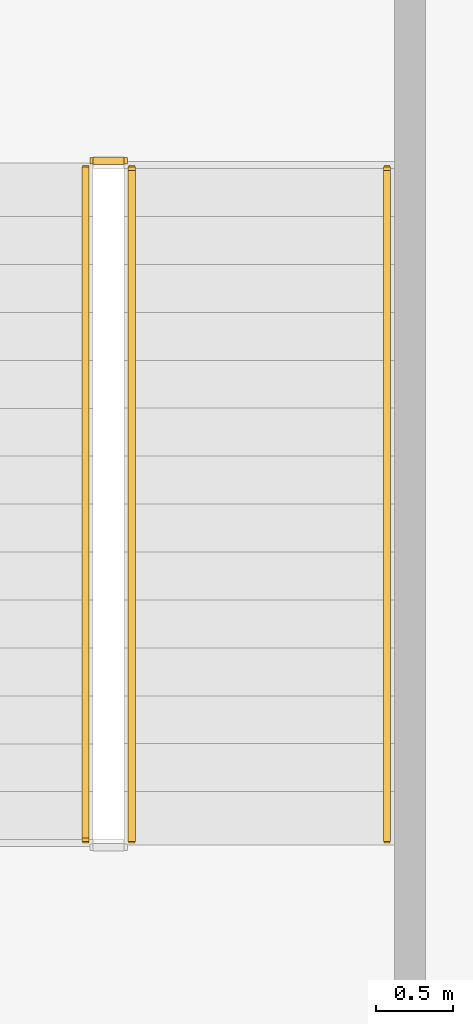
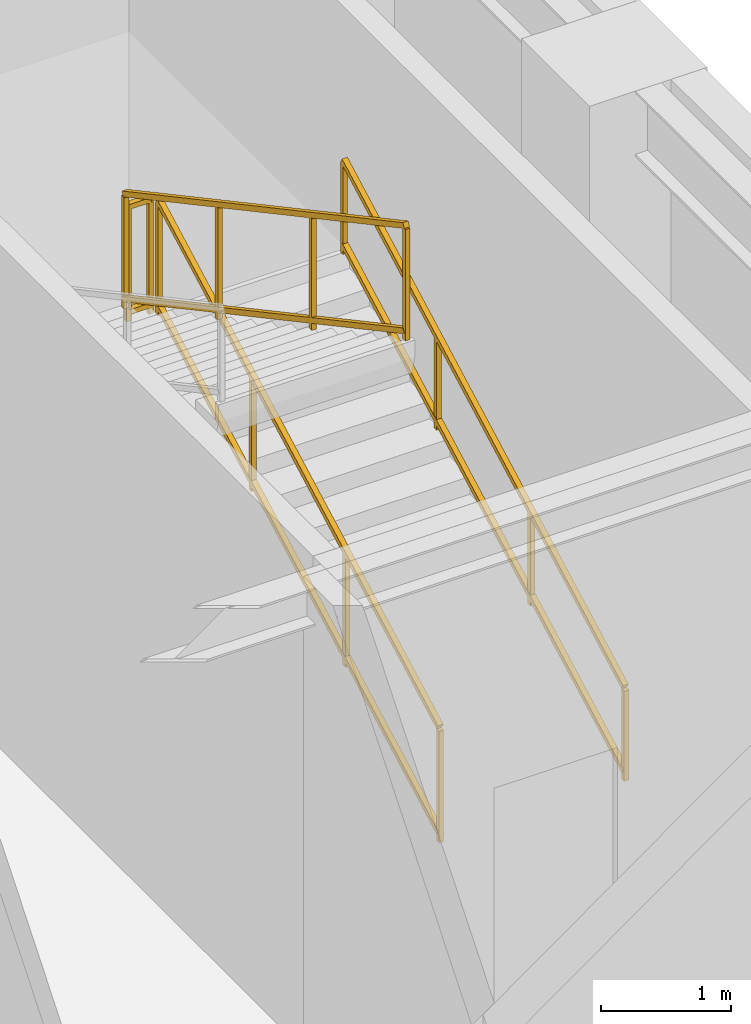
# One storey, part 22 of 23: 4 railings.
"""IFC4 building model written with IfcOpenShell, lengths in metres."""

import ifcopenshell
import ifcopenshell.guid

model = None  # the IFC model being written
_history = None  # IfcOwnerHistory: only IFC2X3 demands one
_inside = {}  # id of a spatial element -> (the spatial element, [elements in it])
_under = {}  # id of a project, library or spatial element -> (it, [spatial elements below it])
_declared = {}  # id of a project -> (the project, [libraries it declares])
_typed = {}  # id of a type object -> (the type object, [elements of that type])
_made_of = {}  # id of a material, layer set ... -> (it, [elements and type objects made of it])


def new_model(schema):
    """Start an empty IFC model of exactly this schema.

    Asked for "IFC4X3", IfcOpenShell would pick the latest addendum, in which some entities
    have other attributes; the version numbers below select the first issue.
    IFC2X3 requires an IfcOwnerHistory on every rooted entity: one is made here for all.
    """
    global model, _history
    if schema == "IFC4X3":
        model = ifcopenshell.file(schema_version=(4, 3, 0, 0))
    else:
        model = ifcopenshell.file(schema=schema)
    _inside.clear()
    _under.clear()
    _declared.clear()
    _typed.clear()
    _made_of.clear()
    _history = None
    if model.schema == "IFC2X3":
        org = make("IfcOrganization", Name="unknown")
        user = make(
            "IfcPersonAndOrganization",
            ThePerson=make("IfcPerson", FamilyName="unknown"),
            TheOrganization=org,
        )
        app = make(
            "IfcApplication",
            ApplicationDeveloper=org,
            Version="unknown",
            ApplicationFullName="unknown",
            ApplicationIdentifier="unknown",
        )
        _history = make(
            "IfcOwnerHistory",
            OwningUser=user,
            OwningApplication=app,
            ChangeAction="ADDED",
            CreationDate=0,
        )
    return model


def make(cls, **values):
    """One entity of the class cls with the attributes given. An attribute that is None is left unset."""
    return model.create_entity(
        cls, **{name: value for name, value in values.items() if value is not None}
    )


def rooted(cls, **values):
    """An entity with a GlobalId (a new one), such as an element, a storey or a relation."""
    return make(cls, GlobalId=ifcopenshell.guid.new(), OwnerHistory=_history, **values)


def si_unit(unit_type, name, prefix=None):
    """IfcSIUnit, for example si_unit("LENGTHUNIT", "METRE", prefix="MILLI")."""
    return make("IfcSIUnit", UnitType=unit_type, Prefix=prefix, Name=name)


def assignment(units):
    """IfcUnitAssignment: the units of a project."""
    return None if units is None else make("IfcUnitAssignment", Units=units)


def point(xyz):
    """IfcCartesianPoint."""
    return None if xyz is None else make("IfcCartesianPoint", Coordinates=xyz)


def direction(xyz):
    """IfcDirection."""
    return None if xyz is None else make("IfcDirection", DirectionRatios=xyz)


def frame(location, z_axis=None, x_axis=None):
    """IfcAxis2Placement3D, a coordinate frame: its origin and axes. An axis left out is left unset."""
    return make(
        "IfcAxis2Placement3D",
        Location=point(location),
        Axis=direction(z_axis),
        RefDirection=direction(x_axis),
    )


def frame_2d(location, x_axis=None):
    """IfcAxis2Placement2D, a coordinate frame in the plane: its origin and x axis."""
    return make(
        "IfcAxis2Placement2D", Location=point(location), RefDirection=direction(x_axis)
    )


def origin():
    """The frame at (0, 0, 0) with its axes left unset."""
    return frame((0.0, 0.0, 0.0))


def origin_2d():
    """The frame at (0, 0) in the plane with its x axis left unset."""
    return frame_2d((0.0, 0.0))


def place(relative_to, where):
    """IfcLocalPlacement: puts the frame where relative to a parent placement (None: the world)."""
    return make(
        "IfcLocalPlacement", PlacementRelTo=relative_to, RelativePlacement=where
    )


def context(
    kind, dimensions, precision=None, world=None, true_north=None, identifier=None
):
    """IfcGeometricRepresentationContext, for example the 3D "Model" context."""
    return make(
        "IfcGeometricRepresentationContext",
        ContextIdentifier=identifier,
        ContextType=kind,
        CoordinateSpaceDimension=dimensions,
        Precision=precision,
        WorldCoordinateSystem=world,
        TrueNorth=true_north,
    )


def subcontext(parent, identifier, kind, view, scale=None):
    """IfcGeometricRepresentationSubContext, for example "Body" below "Model"."""
    return make(
        "IfcGeometricRepresentationSubContext",
        ContextIdentifier=identifier,
        ContextType=kind,
        ParentContext=parent,
        TargetScale=scale,
        TargetView=view,
    )


def project(units=None, contexts=None):
    """IfcProject with its units and contexts."""
    return rooted(
        "IfcProject",
        Name="project",
        RepresentationContexts=contexts,
        UnitsInContext=assignment(units),
    )


def spatial(cls, under=None, at=None, **own):
    """A site, building, storey or space (cls), placed at a placement, below another one or the project."""
    s = rooted(cls, ObjectPlacement=at, **own)
    if under is not None:
        _under.setdefault(under.id(), (under, []))[1].append(s)
    return s


def profile(cls, at=None, kind="AREA", **sizes):
    """A parametric profile (cls). Its sizes go by their IFC names, for example OverallWidth=200.0."""
    return make(cls, ProfileType=kind, Position=at, **sizes)


def rectangle(**sizes):
    """IfcRectangleProfileDef."""
    return profile("IfcRectangleProfileDef", **sizes)


def extrude(swept, where, along, depth):
    """IfcExtrudedAreaSolid: the profile swept, set in the frame where, extruded along a direction by depth."""
    return make(
        "IfcExtrudedAreaSolid",
        SweptArea=swept,
        Position=where,
        ExtrudedDirection=direction(along),
        Depth=depth,
    )


def shape(context_of_items, identifier, shape_type, items):
    """IfcShapeRepresentation: the items that make up one representation, for example the "Body"."""
    return make(
        "IfcShapeRepresentation",
        ContextOfItems=context_of_items,
        RepresentationIdentifier=identifier,
        RepresentationType=shape_type,
        Items=items,
    )


def material(Name=None, Category=None):
    """IfcMaterial."""
    return make("IfcMaterial", Name=Name, Category=Category)


def made_of(thing, what):
    """Note that an element or type object is made of a material, layer set ...; save() writes the relation."""
    if what is not None:
        _made_of.setdefault(what.id(), (what, []))[1].append(thing)
    return thing


def type_object(cls, material=None, **own):
    """A type object (cls), such as IfcWallType, which elements share."""
    return made_of(rooted(cls, **own), material)


def element(
    cls,
    number,
    at=None,
    inside=None,
    cuts=None,
    type_object=None,
    material=None,
    context=None,
    identifier="Body",
    shape_type=None,
    held_by="IfcProductDefinitionShape",
    body=None,
    shapes=None,
    **own,
):
    """One element of the class cls, such as IfcWall. Its Tag is "e" and its number.

    at: its placement. inside: the storey or other place that contains it. cuts: it is an
    opening in that element (IfcRelVoidsElement). A single representation is given by context,
    identifier, shape_type and body (its items); several are given by shapes. held_by: the class
    of the entity that holds the representations. save() writes the other relations.
    """
    e = rooted(cls, Tag="e%d" % number, ObjectPlacement=at, **own)
    if body is not None:
        shapes = [shape(context, identifier, shape_type, body)]
    if shapes is not None:
        e.Representation = make(held_by, Representations=shapes)
    if inside is not None:
        _inside.setdefault(inside.id(), (inside, []))[1].append(e)
    if cuts is not None:
        rooted(
            "IfcRelVoidsElement", RelatingBuildingElement=cuts, RelatedOpeningElement=e
        )
    if type_object is not None:
        _typed.setdefault(type_object.id(), (type_object, []))[1].append(e)
    return made_of(e, material)


def aggregate(whole, parts):
    """IfcRelAggregates: a whole, such as a stair, and the parts it consists of."""
    return rooted("IfcRelAggregates", RelatingObject=whole, RelatedObjects=parts)


def save(model, path):
    """Write the relations noted so far, then the file.

    IfcRelAggregates (storeys below a building ...), IfcRelContainedInSpatialStructure (elements
    in a storey), IfcRelDefinesByType, IfcRelAssociatesMaterial and IfcRelDeclares: one each for
    every whole, place, type object, material and project.
    """
    for whole, parts in _under.values():
        aggregate(whole, parts)
    for where, things in _inside.values():
        rooted(
            "IfcRelContainedInSpatialStructure",
            RelatedElements=things,
            RelatingStructure=where,
        )
    for kind, things in _typed.values():
        rooted("IfcRelDefinesByType", RelatedObjects=things, RelatingType=kind)
    for what, things in _made_of.values():
        rooted("IfcRelAssociatesMaterial", RelatedObjects=things, RelatingMaterial=what)
    for by, libraries in _declared.values():
        rooted("IfcRelDeclares", RelatingContext=by, RelatedDefinitions=libraries)
    model.write(path)


model = new_model("IFC4")

# Units and contexts
model_context = context("Model", 3, precision=1e-05, world=origin(), true_north=direction((0.0, 1.0)))
body_context = subcontext(model_context, "Body", "Model", "MODEL_VIEW")
ifc_project = project(units=[si_unit("LENGTHUNIT", "METRE"), si_unit("AREAUNIT", "SQUARE_METRE"), si_unit("VOLUMEUNIT", "CUBIC_METRE"), si_unit("PLANEANGLEUNIT", "RADIAN"), si_unit("MASSUNIT", "GRAM", prefix="KILO")], contexts=[model_context])

# Site, building, storey
site_placement = place(None, origin())
site = spatial("IfcSite", under=ifc_project, at=site_placement, CompositionType="ELEMENT")
building_placement = place(site_placement, origin())
building = spatial("IfcBuilding", under=site, at=building_placement, Name="Kolvaren Gate Tower and Convention Centre", CompositionType="ELEMENT")
storey_placement = place(building_placement, origin())
storey = spatial("IfcBuildingStorey", under=building, at=storey_placement, Name="L00", CompositionType="ELEMENT", Elevation=0.0)

# Railings
ifc_material = material(Name="Brushed Stainless Steel Grade 316L", Category="steel")
railing_type_1 = type_object("IfcRailingType", Name="ARCH-RL-GUARD-1150", PredefinedType="GUARDRAIL", material=ifc_material)
railing_1_placement = place(storey_placement, frame((94.10009765625, 36.85009765625, 0.166748046875)))
element("IfcRailing", 1, at=railing_1_placement, inside=storey, type_object=railing_type_1, Name="L00 ST-C3 stair guard 1", PredefinedType="GUARDRAIL", context=body_context, shape_type="SweptSolid", body=[
    extrude(rectangle(XDim=0.048095703125, YDim=0.048095703125, at=origin_2d()), frame((0.0, 0.0, 1.076171875), z_axis=(0.0, 0.8807748016, 0.47353537235), x_axis=(-1.0, 0.0, 0.0)), (0.0, 0.0, 1.0), 4.92724609375),
    extrude(rectangle(XDim=0.048095703125, YDim=0.048095703125, at=origin_2d()), frame((0.0, 0.0, 0.083984375), z_axis=(0.0, 0.8807748016, 0.47353537235), x_axis=(-1.0, 0.0, 0.0)), (0.0, 0.0, 1.0), 4.92724609375),
    extrude(rectangle(XDim=0.0419921875, YDim=0.0419921875, at=origin_2d()), origin(), (0.0, 0.0, 1.0), 1.050048828125),
    extrude(rectangle(XDim=0.0419921875, YDim=0.0419921875, at=origin_2d()), frame((0.0, 4.33984375, 2.333251953125)), (0.0, 0.0, 1.0), 1.050048828125),
    extrude(rectangle(XDim=0.0419921875, YDim=0.0419921875, at=origin_2d()), frame((0.0, 1.446533203125, 0.77783203125)), (0.0, 0.0, 1.0), 1.050048828125),
    extrude(rectangle(XDim=0.0419921875, YDim=0.0419921875, at=origin_2d()), frame((0.0, 2.893310546875, 1.555419921875)), (0.0, 0.0, 1.0), 1.050048828125),
])
railing_2_placement = place(storey_placement, frame((94.050048828125, 41.239990234375, 2.5)))
element("IfcRailing", 2, at=railing_2_placement, inside=storey, type_object=railing_type_1, Name="L00 ST-C3 stair guard 2", PredefinedType="GUARDRAIL", context=body_context, shape_type="SweptSolid", body=[
    extrude(rectangle(XDim=0.048095703125, YDim=0.048095703125, at=origin_2d()), frame((0.0, 0.0, 1.076171875), z_axis=(-1.0, 0.0, 0.0), x_axis=(0.0, -1.0, 0.0)), (0.0, 0.0, 1.0), 0.199951171875),
    extrude(rectangle(XDim=0.048095703125, YDim=0.048095703125, at=origin_2d()), frame((0.0, 0.0, 0.083984375), z_axis=(-1.0, 0.0, 0.0), x_axis=(0.0, -1.0, 0.0)), (0.0, 0.0, 1.0), 0.199951171875),
    extrude(rectangle(XDim=0.0419921875, YDim=0.0419921875, at=origin_2d()), origin(), (0.0, 0.0, 1.0), 1.050048828125),
    extrude(rectangle(XDim=0.0419921875, YDim=0.0419921875, at=origin_2d()), frame((-0.199951171875, 0.0, 0.0)), (0.0, 0.0, 1.0), 1.050048828125),
])
railing_3_placement = place(storey_placement, frame((93.800048828125, 41.18994140625, 2.666748046875)))
element("IfcRailing", 3, at=railing_3_placement, inside=storey, type_object=railing_type_1, Name="L00 ST-C3 stair guard 3", PredefinedType="GUARDRAIL", context=body_context, shape_type="SweptSolid", body=[
    extrude(rectangle(XDim=0.048095703125, YDim=0.048095703125, at=origin_2d()), frame((0.0, 0.0, 1.076171875), z_axis=(0.0, -0.8807748016, 0.47353537235), x_axis=(1.0, 0.0, 0.0)), (0.0, 0.0, 1.0), 4.92724609375),
    extrude(rectangle(XDim=0.048095703125, YDim=0.048095703125, at=origin_2d()), frame((0.0, 0.0, 0.083984375), z_axis=(0.0, -0.8807748016, 0.47353537235), x_axis=(1.0, 0.0, 0.0)), (0.0, 0.0, 1.0), 4.92724609375),
    extrude(rectangle(XDim=0.0419921875, YDim=0.0419921875, at=origin_2d()), origin(), (0.0, 0.0, 1.0), 1.050048828125),
    extrude(rectangle(XDim=0.0419921875, YDim=0.0419921875, at=origin_2d()), frame((0.0, -4.33984375, 2.333251953125)), (0.0, 0.0, 1.0), 1.050048828125),
    extrude(rectangle(XDim=0.0419921875, YDim=0.0419921875, at=origin_2d()), frame((0.0, -1.446533203125, 0.77783203125)), (0.0, 0.0, 1.0), 1.050048828125),
    extrude(rectangle(XDim=0.0419921875, YDim=0.0419921875, at=origin_2d()), frame((0.0, -2.893310546875, 1.555419921875)), (0.0, 0.0, 1.0), 1.050048828125),
])
railing_type_2 = type_object("IfcRailingType", Name="ARCH-RL-HANDRAIL-920", PredefinedType="HANDRAIL", material=ifc_material)
railing_4_placement = place(storey_placement, frame((95.75, 36.85009765625, 0.166748046875)))
element("IfcRailing", 4, at=railing_4_placement, inside=storey, type_object=railing_type_2, Name="L00 ST-C3 stair handrail 1", PredefinedType="HANDRAIL", context=body_context, shape_type="SweptSolid", body=[
    extrude(rectangle(XDim=0.048095703125, YDim=0.048095703125, at=origin_2d()), frame((0.0, 0.0, 0.8759765625), z_axis=(0.0, 0.8807748016, 0.47353537235), x_axis=(-1.0, 0.0, 0.0)), (0.0, 0.0, 1.0), 4.92724609375),
    extrude(rectangle(XDim=0.048095703125, YDim=0.048095703125, at=origin_2d()), frame((0.0, 0.0, 0.083984375), z_axis=(0.0, 0.8807748016, 0.47353537235), x_axis=(-1.0, 0.0, 0.0)), (0.0, 0.0, 1.0), 4.92724609375),
    extrude(rectangle(XDim=0.0419921875, YDim=0.0419921875, at=origin_2d()), origin(), (0.0, 0.0, 1.0), 0.849853515625),
    extrude(rectangle(XDim=0.0419921875, YDim=0.0419921875, at=origin_2d()), frame((0.0, 4.33984375, 2.333251953125)), (0.0, 0.0, 1.0), 0.849853515625),
    extrude(rectangle(XDim=0.0419921875, YDim=0.0419921875, at=origin_2d()), frame((0.0, 1.446533203125, 0.77783203125)), (0.0, 0.0, 1.0), 0.849853515625),
    extrude(rectangle(XDim=0.0419921875, YDim=0.0419921875, at=origin_2d()), frame((0.0, 2.893310546875, 1.555419921875)), (0.0, 0.0, 1.0), 0.849853515625),
])

save(model, "model.ifc")
